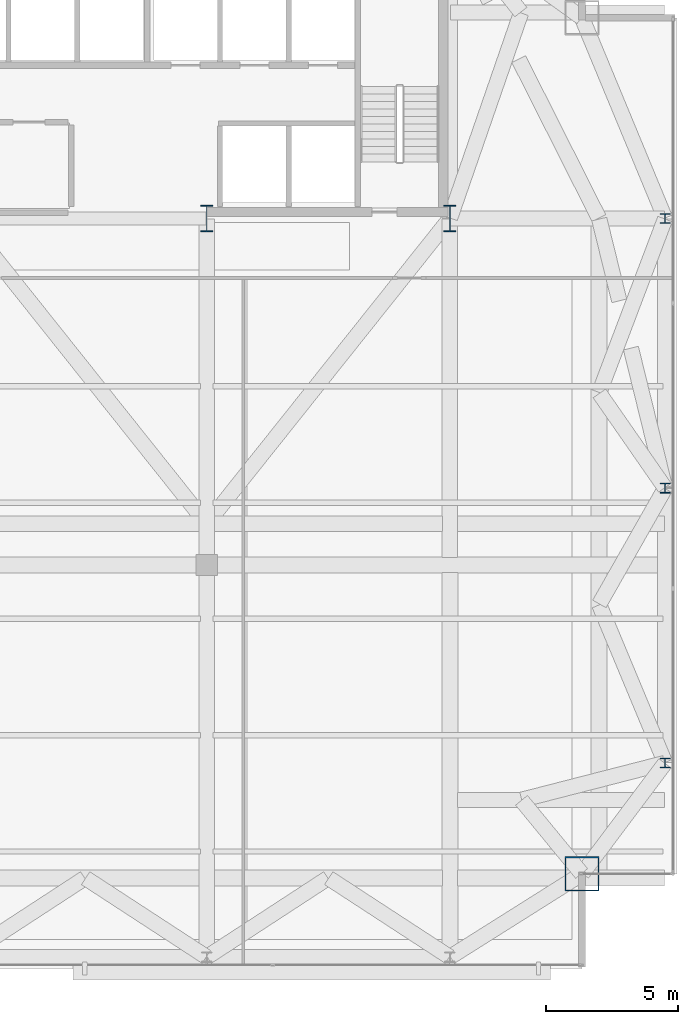
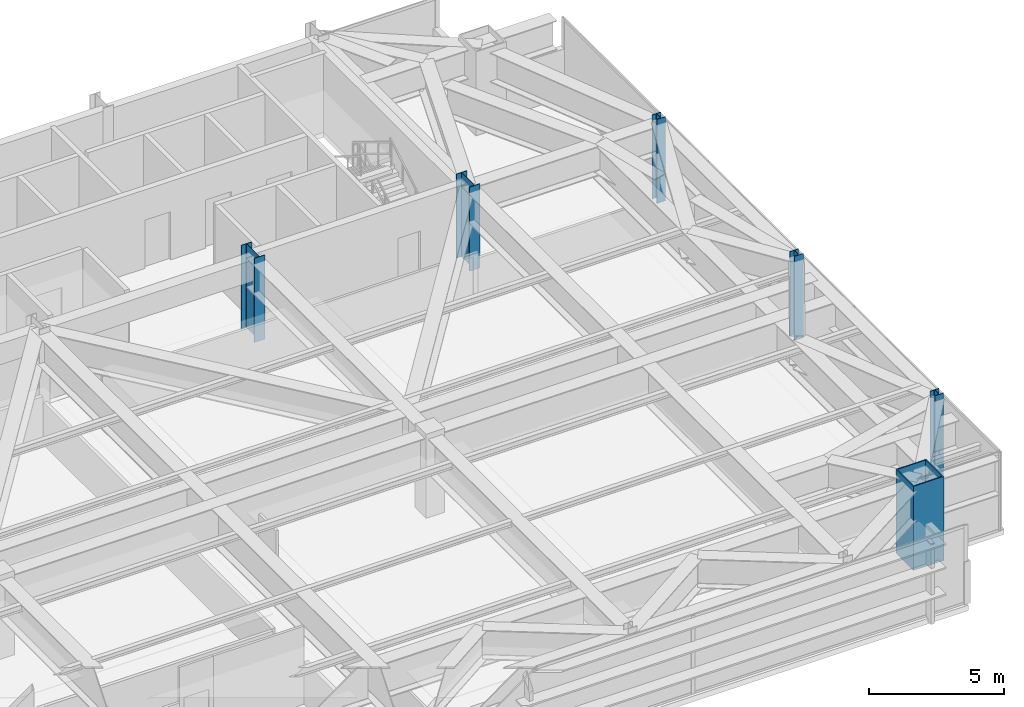
# One storey, part 2 of 26: 6 columns.
"""IFC4 building model written with IfcOpenShell, lengths in metres."""

import ifcopenshell
import ifcopenshell.guid

model = None  # the IFC model being written
_history = None  # IfcOwnerHistory: only IFC2X3 demands one
_inside = {}  # id of a spatial element -> (the spatial element, [elements in it])
_under = {}  # id of a project, library or spatial element -> (it, [spatial elements below it])
_declared = {}  # id of a project -> (the project, [libraries it declares])
_typed = {}  # id of a type object -> (the type object, [elements of that type])
_made_of = {}  # id of a material, layer set ... -> (it, [elements and type objects made of it])


def new_model(schema):
    """Start an empty IFC model of exactly this schema.

    Asked for "IFC4X3", IfcOpenShell would pick the latest addendum, in which some entities
    have other attributes; the version numbers below select the first issue.
    IFC2X3 requires an IfcOwnerHistory on every rooted entity: one is made here for all.
    """
    global model, _history
    if schema == "IFC4X3":
        model = ifcopenshell.file(schema_version=(4, 3, 0, 0))
    else:
        model = ifcopenshell.file(schema=schema)
    _inside.clear()
    _under.clear()
    _declared.clear()
    _typed.clear()
    _made_of.clear()
    _history = None
    if model.schema == "IFC2X3":
        org = make("IfcOrganization", Name="unknown")
        user = make(
            "IfcPersonAndOrganization",
            ThePerson=make("IfcPerson", FamilyName="unknown"),
            TheOrganization=org,
        )
        app = make(
            "IfcApplication",
            ApplicationDeveloper=org,
            Version="unknown",
            ApplicationFullName="unknown",
            ApplicationIdentifier="unknown",
        )
        _history = make(
            "IfcOwnerHistory",
            OwningUser=user,
            OwningApplication=app,
            ChangeAction="ADDED",
            CreationDate=0,
        )
    return model


def make(cls, **values):
    """One entity of the class cls with the attributes given. An attribute that is None is left unset."""
    return model.create_entity(
        cls, **{name: value for name, value in values.items() if value is not None}
    )


def rooted(cls, **values):
    """An entity with a GlobalId (a new one), such as an element, a storey or a relation."""
    return make(cls, GlobalId=ifcopenshell.guid.new(), OwnerHistory=_history, **values)


def si_unit(unit_type, name, prefix=None):
    """IfcSIUnit, for example si_unit("LENGTHUNIT", "METRE", prefix="MILLI")."""
    return make("IfcSIUnit", UnitType=unit_type, Prefix=prefix, Name=name)


def assignment(units):
    """IfcUnitAssignment: the units of a project."""
    return None if units is None else make("IfcUnitAssignment", Units=units)


def point(xyz):
    """IfcCartesianPoint."""
    return None if xyz is None else make("IfcCartesianPoint", Coordinates=xyz)


def direction(xyz):
    """IfcDirection."""
    return None if xyz is None else make("IfcDirection", DirectionRatios=xyz)


def frame(location, z_axis=None, x_axis=None):
    """IfcAxis2Placement3D, a coordinate frame: its origin and axes. An axis left out is left unset."""
    return make(
        "IfcAxis2Placement3D",
        Location=point(location),
        Axis=direction(z_axis),
        RefDirection=direction(x_axis),
    )


def frame_2d(location, x_axis=None):
    """IfcAxis2Placement2D, a coordinate frame in the plane: its origin and x axis."""
    return make(
        "IfcAxis2Placement2D", Location=point(location), RefDirection=direction(x_axis)
    )


def origin():
    """The frame at (0, 0, 0) with its axes left unset."""
    return frame((0.0, 0.0, 0.0))


def origin_2d():
    """The frame at (0, 0) in the plane with its x axis left unset."""
    return frame_2d((0.0, 0.0))


def place(relative_to, where):
    """IfcLocalPlacement: puts the frame where relative to a parent placement (None: the world)."""
    return make(
        "IfcLocalPlacement", PlacementRelTo=relative_to, RelativePlacement=where
    )


def context(
    kind, dimensions, precision=None, world=None, true_north=None, identifier=None
):
    """IfcGeometricRepresentationContext, for example the 3D "Model" context."""
    return make(
        "IfcGeometricRepresentationContext",
        ContextIdentifier=identifier,
        ContextType=kind,
        CoordinateSpaceDimension=dimensions,
        Precision=precision,
        WorldCoordinateSystem=world,
        TrueNorth=true_north,
    )


def subcontext(parent, identifier, kind, view, scale=None):
    """IfcGeometricRepresentationSubContext, for example "Body" below "Model"."""
    return make(
        "IfcGeometricRepresentationSubContext",
        ContextIdentifier=identifier,
        ContextType=kind,
        ParentContext=parent,
        TargetScale=scale,
        TargetView=view,
    )


def project(units=None, contexts=None):
    """IfcProject with its units and contexts."""
    return rooted(
        "IfcProject",
        Name="project",
        RepresentationContexts=contexts,
        UnitsInContext=assignment(units),
    )


def spatial(cls, under=None, at=None, **own):
    """A site, building, storey or space (cls), placed at a placement, below another one or the project."""
    s = rooted(cls, ObjectPlacement=at, **own)
    if under is not None:
        _under.setdefault(under.id(), (under, []))[1].append(s)
    return s


def profile(cls, at=None, kind="AREA", **sizes):
    """A parametric profile (cls). Its sizes go by their IFC names, for example OverallWidth=200.0."""
    return make(cls, ProfileType=kind, Position=at, **sizes)


def hollow_rectangle(**sizes):
    """IfcRectangleHollowProfileDef."""
    return profile("IfcRectangleHollowProfileDef", **sizes)


def i_section(**sizes):
    """IfcIShapeProfileDef."""
    return profile("IfcIShapeProfileDef", **sizes)


def extrude(swept, where, along, depth):
    """IfcExtrudedAreaSolid: the profile swept, set in the frame where, extruded along a direction by depth."""
    return make(
        "IfcExtrudedAreaSolid",
        SweptArea=swept,
        Position=where,
        ExtrudedDirection=direction(along),
        Depth=depth,
    )


def shape(context_of_items, identifier, shape_type, items):
    """IfcShapeRepresentation: the items that make up one representation, for example the "Body"."""
    return make(
        "IfcShapeRepresentation",
        ContextOfItems=context_of_items,
        RepresentationIdentifier=identifier,
        RepresentationType=shape_type,
        Items=items,
    )


def source(mapping_origin, context_of_items, identifier, shape_type, items):
    """IfcRepresentationMap: a shape defined once, which mapped items show again and again."""
    return make(
        "IfcRepresentationMap",
        MappingOrigin=mapping_origin,
        MappedRepresentation=shape(context_of_items, identifier, shape_type, items),
    )


def transform(
    local_origin,
    x_axis=None,
    y_axis=None,
    z_axis=None,
    scale=None,
    scale2=None,
    scale3=None,
    uniform=True,
):
    """IfcCartesianTransformationOperator3D, or its non-uniform kind. x_axis, y_axis, z_axis: its Axis1, 2, 3."""
    if uniform:
        return make(
            "IfcCartesianTransformationOperator3D",
            Axis1=direction(x_axis),
            Axis2=direction(y_axis),
            LocalOrigin=point(local_origin),
            Scale=scale,
            Axis3=direction(z_axis),
        )
    return make(
        "IfcCartesianTransformationOperator3DnonUniform",
        Axis1=direction(x_axis),
        Axis2=direction(y_axis),
        LocalOrigin=point(local_origin),
        Scale=scale,
        Axis3=direction(z_axis),
        Scale2=scale2,
        Scale3=scale3,
    )


def mapped(mapping_source, mapping_target):
    """IfcMappedItem: shows the shape of a source again, moved by a transform."""
    return make(
        "IfcMappedItem", MappingSource=mapping_source, MappingTarget=mapping_target
    )


def material(Name=None, Category=None):
    """IfcMaterial."""
    return make("IfcMaterial", Name=Name, Category=Category)


def material_profile(
    of_material, cross_section, Name=None, Category=None, Priority=None
):
    """IfcMaterialProfile: a cross section and its material."""
    return make(
        "IfcMaterialProfile",
        Name=Name,
        Material=of_material,
        Profile=cross_section,
        Priority=Priority,
        Category=Category,
    )


def profile_set(profiles, Name=None, composite=None):
    """IfcMaterialProfileSet."""
    return make(
        "IfcMaterialProfileSet",
        Name=Name,
        MaterialProfiles=profiles,
        CompositeProfile=composite,
    )


def made_of(thing, what):
    """Note that an element or type object is made of a material, layer set ...; save() writes the relation."""
    if what is not None:
        _made_of.setdefault(what.id(), (what, []))[1].append(thing)
    return thing


def type_object(cls, material=None, **own):
    """A type object (cls), such as IfcWallType, which elements share."""
    return made_of(rooted(cls, **own), material)


def type_shapes(of_type, sources):
    """Give a type object the sources (RepresentationMaps) that its elements show as mapped items."""
    of_type.RepresentationMaps = sources


def element(
    cls,
    number,
    at=None,
    inside=None,
    cuts=None,
    type_object=None,
    material=None,
    context=None,
    identifier="Body",
    shape_type=None,
    held_by="IfcProductDefinitionShape",
    body=None,
    shapes=None,
    **own,
):
    """One element of the class cls, such as IfcWall. Its Tag is "e" and its number.

    at: its placement. inside: the storey or other place that contains it. cuts: it is an
    opening in that element (IfcRelVoidsElement). A single representation is given by context,
    identifier, shape_type and body (its items); several are given by shapes. held_by: the class
    of the entity that holds the representations. save() writes the other relations.
    """
    e = rooted(cls, Tag="e%d" % number, ObjectPlacement=at, **own)
    if body is not None:
        shapes = [shape(context, identifier, shape_type, body)]
    if shapes is not None:
        e.Representation = make(held_by, Representations=shapes)
    if inside is not None:
        _inside.setdefault(inside.id(), (inside, []))[1].append(e)
    if cuts is not None:
        rooted(
            "IfcRelVoidsElement", RelatingBuildingElement=cuts, RelatedOpeningElement=e
        )
    if type_object is not None:
        _typed.setdefault(type_object.id(), (type_object, []))[1].append(e)
    return made_of(e, material)


def aggregate(whole, parts):
    """IfcRelAggregates: a whole, such as a stair, and the parts it consists of."""
    return rooted("IfcRelAggregates", RelatingObject=whole, RelatedObjects=parts)


def save(model, path):
    """Write the relations noted so far, then the file.

    IfcRelAggregates (storeys below a building ...), IfcRelContainedInSpatialStructure (elements
    in a storey), IfcRelDefinesByType, IfcRelAssociatesMaterial and IfcRelDeclares: one each for
    every whole, place, type object, material and project.
    """
    for whole, parts in _under.values():
        aggregate(whole, parts)
    for where, things in _inside.values():
        rooted(
            "IfcRelContainedInSpatialStructure",
            RelatedElements=things,
            RelatingStructure=where,
        )
    for kind, things in _typed.values():
        rooted("IfcRelDefinesByType", RelatedObjects=things, RelatingType=kind)
    for what, things in _made_of.values():
        rooted("IfcRelAssociatesMaterial", RelatedObjects=things, RelatingMaterial=what)
    for by, libraries in _declared.values():
        rooted("IfcRelDeclares", RelatingContext=by, RelatedDefinitions=libraries)
    model.write(path)


model = new_model("IFC4")

# Units and contexts
model_context = context("Model", 3, precision=1e-05, world=origin(), true_north=direction((0.0, 1.0)))
body_context = subcontext(model_context, "Body", "Model", "MODEL_VIEW")
ifc_project = project(units=[si_unit("LENGTHUNIT", "METRE"), si_unit("AREAUNIT", "SQUARE_METRE"), si_unit("VOLUMEUNIT", "CUBIC_METRE"), si_unit("PLANEANGLEUNIT", "RADIAN"), si_unit("MASSUNIT", "GRAM", prefix="KILO")], contexts=[model_context])

# Site, building, storey
site_placement = place(None, origin())
site = spatial("IfcSite", under=ifc_project, at=site_placement, CompositionType="ELEMENT")
building_placement = place(site_placement, origin())
building = spatial("IfcBuilding", under=site, at=building_placement, Name="Varnel Quay Broadcast Tower", CompositionType="ELEMENT")
storey_placement = place(building_placement, frame((0.0, 0.0, 196.0)))
storey = spatial("IfcBuildingStorey", under=building, at=storey_placement, Name="L48", CompositionType="ELEMENT", Elevation=196.0)

# Columns
ifc_material_1 = material(Name="Structural Steel CSA G40.21 350WT", Category="steel")
ifc_material_profile_1 = material_profile(ifc_material_1, i_section(OverallWidth=0.449951171875, OverallDepth=1.0, WebThickness=0.01611328125, FlangeThickness=0.030029296875, FilletRadius=0.01611328125, at=origin_2d()), Name="WWF1000X362")
ifc_profile_set_1 = profile_set([ifc_material_profile_1], Name="Structural Steel CSA G40.21 350WT")
column_type_1 = type_object("IfcColumnType", Name="Col_WWF1000X362", PredefinedType="COLUMN", material=ifc_profile_set_1)
shared_shape_1 = source(origin(), body_context, "Body", "SweptSolid", [
    extrude(i_section(OverallWidth=0.449951171875, OverallDepth=1.0, WebThickness=0.01611328125, FlangeThickness=0.030029296875, FilletRadius=0.01611328125, at=origin_2d()), origin(), (0.0, 0.0, 1.0), 3.800048828125),
])
type_shapes(column_type_1, [shared_shape_1])
for number, where, z_axis, x_axis, name in (
    (1, (43.199951171875, 35.60009765625, 0.0), (0.0, 0.0, 1.0), (1.0, 0.0, 0.0), "L48 Column CC-S4"),
    (2, (52.39990234375, 35.60009765625, 0.0), (0.0, 0.0, 1.0), (1.0, 0.0, 0.0), "L48 Column CC-S5"),
):
    element("IfcColumn", number, at=place(storey_placement, frame(where, z_axis=z_axis, x_axis=x_axis)), inside=storey, type_object=column_type_1, Name=name, PredefinedType="COLUMN", context=body_context, shape_type="MappedRepresentation", body=[
        mapped(shared_shape_1, transform((0.0, 0.0, 0.0), x_axis=(1.0, 0.0, 0.0), y_axis=(0.0, 1.0, 0.0), z_axis=(0.0, 0.0, 1.0), scale=1.0)),
    ])
ifc_material_profile_2 = material_profile(ifc_material_1, hollow_rectangle(XDim=1.300048828125, YDim=1.300048828125, WallThickness=0.050048828125, at=origin_2d()), Name="BOX1300X1300X50")
ifc_profile_set_2 = profile_set([ifc_material_profile_2], Name="Structural Steel CSA G40.21 350WT")
column_type_2 = type_object("IfcColumnType", Name="Col_BOX1300X1300X50", PredefinedType="COLUMN", material=ifc_profile_set_2)
shared_shape_2 = source(origin(), body_context, "Body", "SweptSolid", [
    extrude(hollow_rectangle(XDim=1.300048828125, YDim=1.300048828125, WallThickness=0.050048828125, at=origin_2d()), origin(), (0.0, 0.0, 1.0), 3.800048828125),
])
type_shapes(column_type_2, [shared_shape_2])
column_placement = place(storey_placement, frame((57.39990234375, 10.800048828125, 0.0), z_axis=(0.0, 0.0, 1.0), x_axis=(1.0, 0.0, 0.0)))
element("IfcColumn", 3, at=column_placement, inside=storey, type_object=column_type_2, Name="L48 Column MC-SE", PredefinedType="COLUMN", context=body_context, shape_type="MappedRepresentation", body=[
    mapped(shared_shape_2, transform((0.0, 0.0, 0.0), x_axis=(1.0, 0.0, 0.0), y_axis=(0.0, 1.0, 0.0), z_axis=(0.0, 0.0, 1.0), scale=1.0)),
])
ifc_material_2 = material(Name="Structural Steel CSA G40.21 350W", Category="steel")
ifc_material_profile_3 = material_profile(ifc_material_2, i_section(OverallWidth=0.3740234375, OverallDepth=0.3720703125, WebThickness=0.016357421875, FlangeThickness=0.026123046875, FilletRadius=0.01611328125, at=origin_2d()), Name="W360X196")
ifc_profile_set_3 = profile_set([ifc_material_profile_3], Name="Structural Steel CSA G40.21 350W")
column_type_3 = type_object("IfcColumnType", Name="Col_W360X196", PredefinedType="COLUMN", material=ifc_profile_set_3)
shared_shape_3 = source(origin(), body_context, "Body", "SweptSolid", [
    extrude(i_section(OverallWidth=0.3740234375, OverallDepth=0.3720703125, WebThickness=0.016357421875, FlangeThickness=0.026123046875, FilletRadius=0.01611328125, at=origin_2d()), origin(), (0.0, 0.0, 1.0), 3.800048828125),
])
type_shapes(column_type_3, [shared_shape_3])
for number, where, z_axis, x_axis, name in (
    (4, (60.550048828125, 15.0, 0.0), (0.0, 0.0, 1.0), (1.0, 0.0, 0.0), "L48 Column TC-E1"),
    (5, (60.550048828125, 25.39990234375, 0.0), (0.0, 0.0, 1.0), (1.0, 0.0, 0.0), "L48 Column TC-E2"),
    (6, (60.550048828125, 35.60009765625, 0.0), (0.0, 0.0, 1.0), (1.0, 0.0, 0.0), "L48 Column TC-E3"),
):
    element("IfcColumn", number, at=place(storey_placement, frame(where, z_axis=z_axis, x_axis=x_axis)), inside=storey, type_object=column_type_3, Name=name, PredefinedType="COLUMN", context=body_context, shape_type="MappedRepresentation", body=[
        mapped(shared_shape_3, transform((0.0, 0.0, 0.0), x_axis=(1.0, 0.0, 0.0), y_axis=(0.0, 1.0, 0.0), z_axis=(0.0, 0.0, 1.0), scale=1.0)),
    ])

save(model, "model.ifc")
